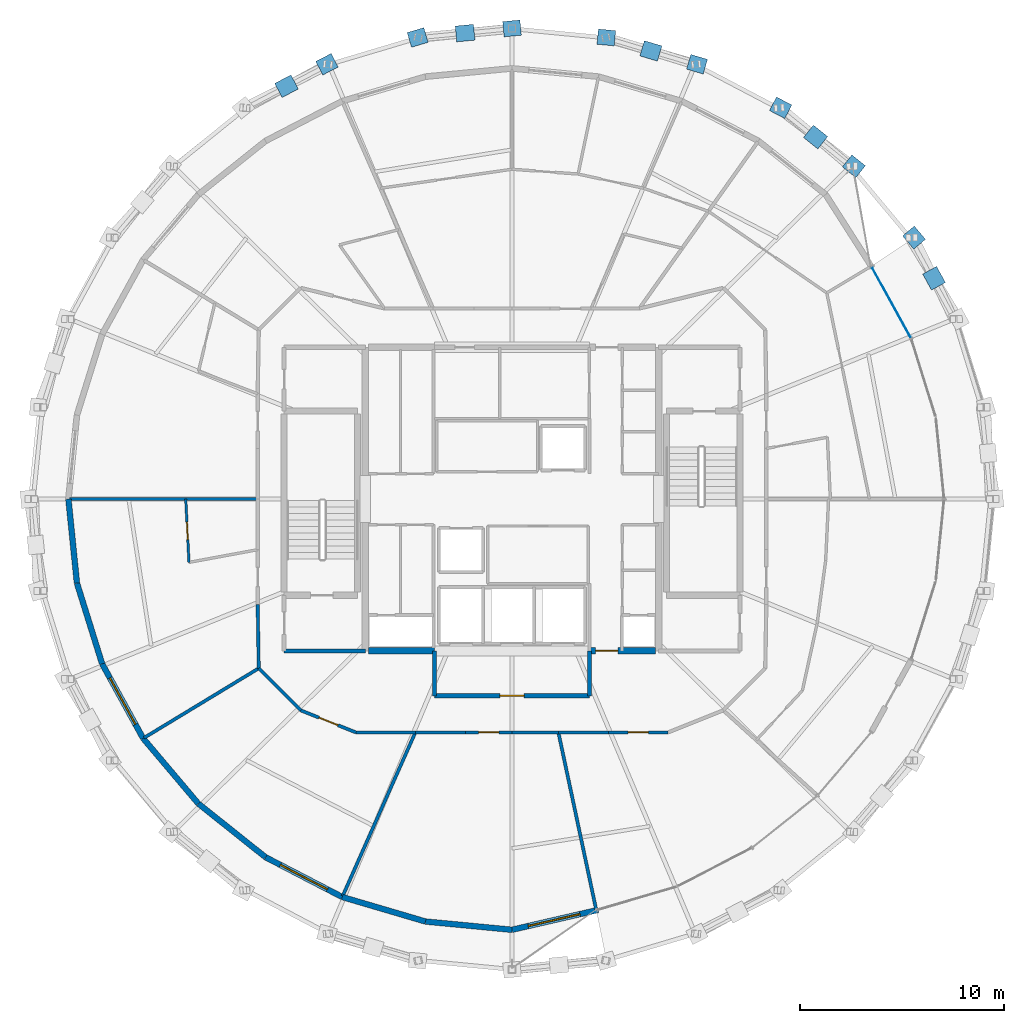
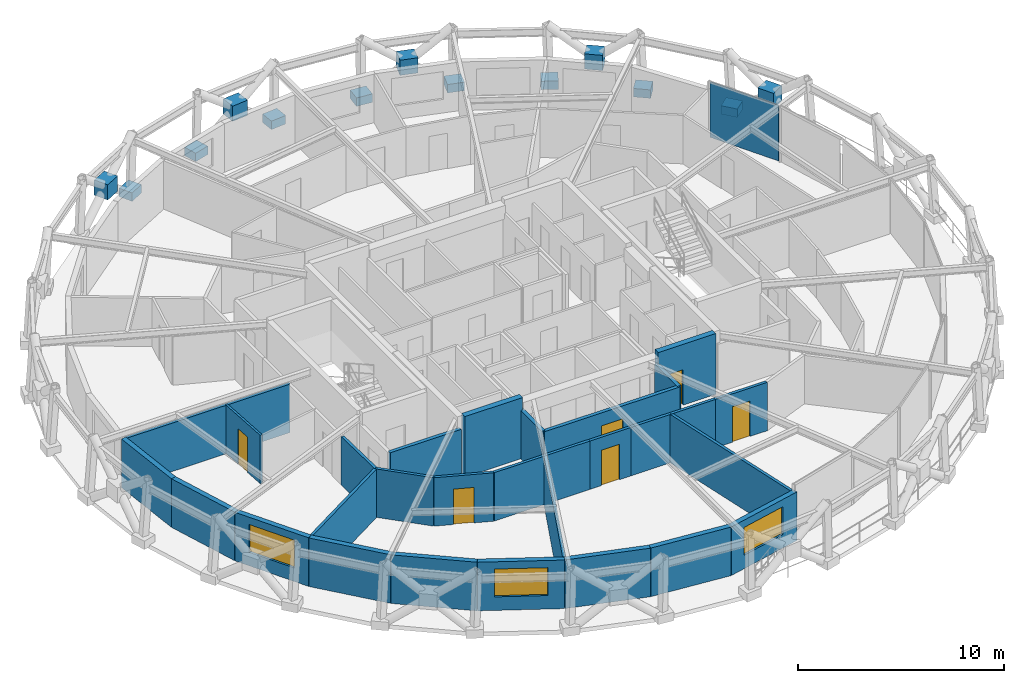
# One storey, part 11 of 16: 29 walls, 14 plates, 6 doors, 3 windows, 9 openings, 1 element without a shape of its own.
"""IFC4 building model written with IfcOpenShell, lengths in metres."""

from ifc_helpers import new_model, si_unit, direction, frame, frame_2d, origin, origin_2d, place, context, subcontext, project, spatial, rectangle, extrude, material, layer, layer_set, type_object, element, fill, aggregate, save


model = new_model("IFC4")

# Units and contexts
model_context = context("Model", 3, precision=1e-05, world=origin(), true_north=direction((0.0, 1.0)))
body_context = subcontext(model_context, "Body", "Model", "MODEL_VIEW")
ifc_project = project(units=[si_unit("LENGTHUNIT", "METRE"), si_unit("AREAUNIT", "SQUARE_METRE"), si_unit("VOLUMEUNIT", "CUBIC_METRE"), si_unit("PLANEANGLEUNIT", "RADIAN"), si_unit("MASSUNIT", "GRAM", prefix="KILO")], contexts=[model_context])

# Site, building, storey
site_placement = place(None, origin())
site = spatial("IfcSite", under=ifc_project, at=site_placement, CompositionType="ELEMENT")
building_placement = place(site_placement, origin())
building = spatial("IfcBuilding", under=site, at=building_placement, Name="Veldorina Hangang Commons", CompositionType="ELEMENT")
storey_placement = place(building_placement, frame((0.0, 0.0, 240.0)))
storey = spatial("IfcBuildingStorey", under=building, at=storey_placement, Name="L62", CompositionType="ELEMENT", Elevation=240.0)

# Curtain wall, plate
ifc_material_1 = material(Name="Glass Low-E Selective", Category="glass")
ifc_layer_1 = layer(ifc_material_1, 0.179931640625)
ifc_layer_set_1 = layer_set([ifc_layer_1], Name="Glass Low-E Selective")
curtain_wall_type = type_object("IfcCurtainWallType", Name="CW-SYS-Z3", PredefinedType="NOTDEFINED", material=ifc_layer_set_1)
curtain_wall_placement = place(storey_placement, origin())
curtain_wall = element("IfcCurtainWall", 1, at=curtain_wall_placement, inside=storey, type_object=curtain_wall_type, Name="L62 unitised curtain wall CW-L62-R2", PredefinedType="NOTDEFINED")
ifc_material_2 = material(Name="Glass Low-E Triple IGU", Category="glass")
ifc_layer_2 = layer(ifc_material_2, 0.0400390625)
ifc_layer_set_2 = layer_set([ifc_layer_2], Name="Glass Low-E Triple IGU")
plate_type_1 = type_object("IfcPlateType", Name="CW-PNL-VIS", PredefinedType="CURTAIN_PANEL", material=ifc_layer_set_2)
plate_1_placement = place(storey_placement, frame((50.611328125, 33.651611328125, 0.014892578125), z_axis=(0.0, 0.0, 1.0), x_axis=(-0.482548786301, 0.875869093438, 0.0)))
plate_1 = element("IfcPlate", 2, at=plate_1_placement, type_object=plate_type_1, Name="CW-L62-R2 facet 5 glazed vision panel", PredefinedType="CURTAIN_PANEL", context=body_context, shape_type="SweptSolid", body=[
    extrude(rectangle(XDim=3.881103515625, YDim=0.0400390625, at=origin_2d()), origin(), (0.0, 0.0, 1.0), 3.2900390625),
])
aggregate(curtain_wall, [plate_1])

# Plates
ifc_material_3 = material(Name="Steel SM460-TMC", Category="steel")
ifc_layer_3 = layer(ifc_material_3, 0.035888671875)
ifc_layer_set_3 = layer_set([ifc_layer_3], Name="Steel SM460-TMC")
plate_type_2 = type_object("IfcPlateType", Name="PL-STAR-36", PredefinedType="USERDEFINED", material=ifc_layer_set_3)
plate_2_placement = place(storey_placement, frame((52.708251953125, 34.833740234375, 1.352783203125), z_axis=(0.0, 0.0, 1.0), x_axis=(-0.481340670832, 0.876533603807, 0.0)))
element("IfcPlate", 3, at=plate_2_placement, inside=storey, type_object=plate_type_2, Name="L62 diagrid X-crossing star-node gusset plate 02", ObjectType="GUSSET PLATE", PredefinedType="USERDEFINED", context=body_context, shape_type="SweptSolid", body=[
    extrude(rectangle(XDim=0.89990234375, YDim=0.780029296875, at=origin_2d()), origin(), (0.0, 0.0, 1.0), 0.89990234375),
])
for number, where, z_axis, x_axis, name in (
    (4, (51.726806640625, 36.830322265625, -0.090087890625), (0.0, 0.0, 1.0), (-0.644577429821, 0.764539035606, 0.0), "L62 diagrid star-node gusset plate 03"),
    (5, (48.7763671875, 40.329833984375, -0.090087890625), (0.0, 0.0, 1.0), (-0.781313543143, 0.624138724404, 0.0), "L62 diagrid star-node gusset plate 04"),
):
    element("IfcPlate", number, at=place(storey_placement, frame(where, z_axis=z_axis, x_axis=x_axis)), inside=storey, type_object=plate_type_2, Name=name, ObjectType="GUSSET PLATE", PredefinedType="USERDEFINED", context=body_context, shape_type="SweptSolid", body=[
        extrude(rectangle(XDim=0.85009765625, YDim=0.75, at=origin_2d()), origin(), (0.0, 0.0, 1.0), 0.5),
    ])
plate_3_placement = place(storey_placement, frame((46.896484375, 41.76611328125, 1.3564453125), z_axis=(0.0, 0.0, 1.0), x_axis=(-0.781313543143, 0.624138724404, 0.0)))
element("IfcPlate", 6, at=plate_3_placement, inside=storey, type_object=plate_type_2, Name="L62 diagrid X-crossing star-node gusset plate 04", ObjectType="GUSSET PLATE", PredefinedType="USERDEFINED", context=body_context, shape_type="SweptSolid", body=[
    extrude(rectangle(XDim=0.89990234375, YDim=0.780029296875, at=origin_2d()), origin(), (0.0, 0.0, 1.0), 0.89990234375),
])
for number, where, z_axis, x_axis, name in (
    (7, (45.18115234375, 43.201904296875, -0.090087890625), (0.0, 0.0, 1.0), (-0.887115577783, 0.461547344977, 0.0), "L62 diagrid star-node gusset plate 05"),
    (8, (41.079345703125, 45.3359375, -0.090087890625), (0.0, 0.0, 1.0), (-0.959062277346, 0.283195247437, 0.0), "L62 diagrid star-node gusset plate 06"),
):
    element("IfcPlate", number, at=place(storey_placement, frame(where, z_axis=z_axis, x_axis=x_axis)), inside=storey, type_object=plate_type_2, Name=name, ObjectType="GUSSET PLATE", PredefinedType="USERDEFINED", context=body_context, shape_type="SweptSolid", body=[
        extrude(rectangle(XDim=0.85009765625, YDim=0.75, at=origin_2d()), origin(), (0.0, 0.0, 1.0), 0.5),
    ])
plate_4_placement = place(storey_placement, frame((38.8154296875, 45.990478515625, 1.359619140625), z_axis=(0.0, 0.0, 1.0), x_axis=(-0.959062277346, 0.283195247437, 0.0)))
element("IfcPlate", 9, at=plate_4_placement, inside=storey, type_object=plate_type_2, Name="L62 diagrid X-crossing star-node gusset plate 06", ObjectType="GUSSET PLATE", PredefinedType="USERDEFINED", context=body_context, shape_type="SweptSolid", body=[
    extrude(rectangle(XDim=0.89990234375, YDim=0.780029296875, at=origin_2d()), origin(), (0.0, 0.0, 1.0), 0.89990234375),
])
for number, where, z_axis, x_axis, name in (
    (10, (36.628662109375, 46.650146484375, -0.090087890625), (0.0, 0.0, 1.0), (-0.995436258815, 0.095428793539, 0.0), "L62 diagrid star-node gusset plate 07"),
    (11, (32.0, 47.093994140625, -0.090087890625), (0.0, 0.0, 1.0), (-0.995436258815, -0.095428793539, 0.0), "L62 diagrid star-node gusset plate 08"),
):
    element("IfcPlate", number, at=place(storey_placement, frame(where, z_axis=z_axis, x_axis=x_axis)), inside=storey, type_object=plate_type_2, Name=name, ObjectType="GUSSET PLATE", PredefinedType="USERDEFINED", context=body_context, shape_type="SweptSolid", body=[
        extrude(rectangle(XDim=0.85009765625, YDim=0.75, at=origin_2d()), origin(), (0.0, 0.0, 1.0), 0.5),
    ])
plate_5_placement = place(storey_placement, frame((29.69921875, 46.86474609375, 1.3603515625), z_axis=(0.0, 0.0, 1.0), x_axis=(-0.995436258815, -0.095428793539, 0.0)))
element("IfcPlate", 12, at=plate_5_placement, inside=storey, type_object=plate_type_2, Name="L62 diagrid X-crossing star-node gusset plate 08", ObjectType="GUSSET PLATE", PredefinedType="USERDEFINED", context=body_context, shape_type="SweptSolid", body=[
    extrude(rectangle(XDim=0.89990234375, YDim=0.780029296875, at=origin_2d()), origin(), (0.0, 0.0, 1.0), 0.89990234375),
])
for number, where, z_axis, x_axis, name in (
    (13, (27.371337890625, 46.650146484375, -0.090087890625), (0.0, 0.0, 1.0), (-0.959062277346, -0.283195247437, 0.0), "L62 diagrid star-node gusset plate 09"),
    (14, (22.920654296875, 45.3359375, -0.090087890625), (0.0, 0.0, 1.0), (-0.887115577783, -0.461547344977, 0.0), "L62 diagrid star-node gusset plate 10"),
):
    element("IfcPlate", number, at=place(storey_placement, frame(where, z_axis=z_axis, x_axis=x_axis)), inside=storey, type_object=plate_type_2, Name=name, ObjectType="GUSSET PLATE", PredefinedType="USERDEFINED", context=body_context, shape_type="SweptSolid", body=[
        extrude(rectangle(XDim=0.85009765625, YDim=0.75, at=origin_2d()), origin(), (0.0, 0.0, 1.0), 0.5),
    ])
plate_6_placement = place(storey_placement, frame((20.936279296875, 44.259033203125, 1.3583984375), z_axis=(0.0, 0.0, 1.0), x_axis=(-0.887115577783, -0.461547344977, 0.0)))
element("IfcPlate", 15, at=plate_6_placement, inside=storey, type_object=plate_type_2, Name="L62 diagrid X-crossing star-node gusset plate 10", ObjectType="GUSSET PLATE", PredefinedType="USERDEFINED", context=body_context, shape_type="SweptSolid", body=[
    extrude(rectangle(XDim=0.89990234375, YDim=0.780029296875, at=origin_2d()), origin(), (0.0, 0.0, 1.0), 0.89990234375),
])

# Wall
ifc_material_4 = material(Name="Concrete C50/60", Category="concrete")
ifc_layer_4 = layer(ifc_material_4, 0.320068359375)
ifc_layer_set_4 = layer_set([ifc_layer_4], Name="Concrete C50/60")
wall_type_1 = type_object("IfcWallType", Name="CW-RC320-C50", PredefinedType="SHEAR", material=ifc_layer_set_4)
wall_1_placement = place(storey_placement, frame((24.9599609375, 16.550048828125, 0.0), z_axis=(0.0, 0.0, 1.0), x_axis=(1.0, 0.0, 0.0)))
element("IfcWall", 16, at=wall_1_placement, inside=storey, type_object=wall_type_1, Name="L62 south-west core shear wall", PredefinedType="SHEAR", context=body_context, shape_type="SweptSolid", body=[
    extrude(rectangle(XDim=3.239990234375, YDim=0.320068359375, at=frame_2d((1.6201171875, 0.0))), origin(), (0.0, 0.0, 1.0), 3.60009765625),
])

# Wall, opening, door
wall_2_placement = place(storey_placement, frame((35.800048828125, 16.550048828125, 0.0), z_axis=(0.0, 0.0, 1.0), x_axis=(1.0, 0.0, 0.0)))
wall_2 = element("IfcWall", 17, at=wall_2_placement, inside=storey, type_object=wall_type_1, Name="L62 south-east core shear wall", PredefinedType="SHEAR", context=body_context, shape_type="SweptSolid", body=[
    extrude(rectangle(XDim=3.239990234375, YDim=0.320068359375, at=frame_2d((1.6201171875, 0.0))), origin(), (0.0, 0.0, 1.0), 3.60009765625),
])
opening_1_placement = place(wall_2_placement, frame((0.300048828125, 0.0, 0.0)))
opening_1 = element("IfcOpeningElement", 18, at=opening_1_placement, cuts=wall_2, Name="Opening D-08", PredefinedType="OPENING", context=body_context, shape_type="SweptSolid", body=[
    extrude(rectangle(XDim=1.10009765625, YDim=2.10009765625, at=frame_2d((0.550048828125, 1.050048828125))), frame((0.0, 0.169921875, 0.0), z_axis=(0.0, -1.0, 0.0), x_axis=(1.0, 0.0, 0.0)), (0.0, 0.0, 1.0), 0.340087890625),
])
ifc_material_5 = material(Name="Steel Fire-Rated Smoke Seal", Category="steel")
door_type_1 = type_object("IfcDoorType", Name="DR-FIRE-1100", OperationType="SINGLE_SWING_RIGHT", PredefinedType="DOOR", material=ifc_material_5)
door_1_placement = place(opening_1_placement, origin())
door_1 = element("IfcDoor", 19, at=door_1_placement, inside=storey, type_object=door_type_1, Name="L62 central lift lobby south corridor door", OperationType="SINGLE_SWING_RIGHT", OverallHeight=2.10009765625, OverallWidth=1.10009765625, PredefinedType="DOOR", context=body_context, shape_type="SweptSolid", body=[
    extrude(rectangle(XDim=1.10009765625, YDim=2.10009765625, at=frame_2d((0.550048828125, 1.050048828125))), frame((0.0, 0.02490234375, 0.0), z_axis=(0.0, -1.0, 0.0), x_axis=(1.0, 0.0, 0.0)), (0.0, 0.0, 1.0), 0.050048828125),
])
fill(opening_1, door_1)

# Walls
ifc_material_6 = material(Name="Stone Roman Travertine", Category="masonry")
ifc_layer_5 = layer(ifc_material_6, 0.280029296875)
ifc_layer_set_5 = layer_set([ifc_layer_5], Name="Stone Roman Travertine")
wall_type_2 = type_object("IfcWallType", Name="EW-TRAV-280", PredefinedType="STANDARD", material=ifc_layer_set_5)
wall_3_placement = place(storey_placement, frame((10.234619140625, 24.0, 0.0), z_axis=(0.0, 0.0, 1.0), x_axis=(0.100915158401, -0.994895035069, 0.0)))
element("IfcWall", 20, at=wall_3_placement, inside=storey, type_object=wall_type_2, Name="L62 travertine facade wall 16", PredefinedType="STANDARD", context=body_context, shape_type="SweptSolid", body=[
    extrude(rectangle(XDim=4.144287109375, YDim=0.280029296875, at=frame_2d((2.072265625, 0.0))), origin(), (0.0, 0.0, 1.0), 2.8798828125),
])
wall_4_placement = place(storey_placement, frame((10.65283203125, 19.876953125, 0.0), z_axis=(0.0, 0.0, 1.0), x_axis=(0.298184627307, -0.954508212661, 0.0)))
element("IfcWall", 21, at=wall_4_placement, inside=storey, type_object=wall_type_2, Name="L62 travertine facade wall 17", PredefinedType="STANDARD", context=body_context, shape_type="SweptSolid", body=[
    extrude(rectangle(XDim=4.153564453125, YDim=0.280029296875, at=frame_2d((2.07666015625, 0.0))), origin(), (0.0, 0.0, 1.0), 2.8798828125),
])

# Wall, opening, window
wall_5_placement = place(storey_placement, frame((11.891357421875, 15.912353515625, 0.0), z_axis=(0.0, 0.0, 1.0), x_axis=(0.482219827967, -0.876050248282, 0.0)))
wall_5 = element("IfcWall", 22, at=wall_5_placement, inside=storey, type_object=wall_type_2, Name="L62 travertine facade wall 18", PredefinedType="STANDARD", context=body_context, shape_type="SweptSolid", body=[
    extrude(rectangle(XDim=4.170654296875, YDim=0.280029296875, at=frame_2d((2.08544921875, 0.0))), origin(), (0.0, 0.0, 1.0), 2.8798828125),
])
opening_2_placement = place(wall_5_placement, frame((0.785400390625, 0.0, 0.800048828125)))
opening_2 = element("IfcOpeningElement", 23, at=opening_2_placement, cuts=wall_5, Name="Opening W-02", PredefinedType="OPENING", context=body_context, shape_type="SweptSolid", body=[
    extrude(rectangle(XDim=2.60009765625, YDim=1.64990234375, at=frame_2d((1.300048828125, 0.824951171875))), frame((0.0, 0.14990234375, 0.0), z_axis=(0.0, -1.0, 0.0), x_axis=(1.0, 0.0, 0.0)), (0.0, 0.0, 1.0), 0.300048828125),
])
window_type = type_object("IfcWindowType", Name="WIN-TWR-2600", PartitioningType="SINGLE_PANEL", PredefinedType="WINDOW", material=ifc_material_2)
window_1_placement = place(opening_2_placement, origin())
window_1 = element("IfcWindow", 24, at=window_1_placement, inside=storey, type_object=window_type, Name="L62 facade window 18", OverallHeight=1.64990234375, OverallWidth=2.60009765625, PartitioningType="SINGLE_PANEL", PredefinedType="WINDOW", context=body_context, shape_type="SweptSolid", body=[
    extrude(rectangle(XDim=2.60009765625, YDim=1.64990234375, at=frame_2d((1.300048828125, 0.824951171875))), frame((0.0, 0.030029296875, 0.0), z_axis=(0.0, -1.0, 0.0), x_axis=(1.0, 0.0, 0.0)), (0.0, 0.0, 1.0), 0.06005859375),
])
fill(opening_2, window_1)

# Walls
wall_6_placement = place(storey_placement, frame((13.902587890625, 12.258544921875, 0.0), z_axis=(0.0, 0.0, 1.0), x_axis=(0.645568939202, -0.763701999956, 0.0)))
element("IfcWall", 25, at=wall_6_placement, inside=storey, type_object=wall_type_2, Name="L62 travertine facade wall 19", PredefinedType="STANDARD", context=body_context, shape_type="SweptSolid", body=[
    extrude(rectangle(XDim=4.193359375, YDim=0.280029296875, at=frame_2d((2.0966796875, 0.0))), origin(), (0.0, 0.0, 1.0), 2.8798828125),
])
wall_7_placement = place(storey_placement, frame((16.609619140625, 9.05615234375, 0.0), z_axis=(0.0, 0.0, 1.0), x_axis=(0.782030895384, -0.623239663906, 0.0)))
element("IfcWall", 26, at=wall_7_placement, inside=storey, type_object=wall_type_2, Name="L62 travertine facade wall 20", PredefinedType="STANDARD", context=body_context, shape_type="SweptSolid", body=[
    extrude(rectangle(XDim=4.21728515625, YDim=0.280029296875, at=frame_2d((2.108642578125, 0.0))), origin(), (0.0, 0.0, 1.0), 2.8798828125),
])

# Wall, opening, window
wall_8_placement = place(storey_placement, frame((19.90771484375, 6.427734375, 0.0), z_axis=(0.0, 0.0, 1.0), x_axis=(0.887588000353, -0.460638189504, 0.0)))
wall_8 = element("IfcWall", 27, at=wall_8_placement, inside=storey, type_object=wall_type_2, Name="L62 travertine facade wall 21", PredefinedType="STANDARD", context=body_context, shape_type="SweptSolid", body=[
    extrude(rectangle(XDim=4.239501953125, YDim=0.280029296875, at=frame_2d((2.11962890625, 0.0))), origin(), (0.0, 0.0, 1.0), 2.8798828125),
])
opening_3_placement = place(wall_8_placement, frame((0.81982421875, 0.0, 0.800048828125)))
opening_3 = element("IfcOpeningElement", 28, at=opening_3_placement, cuts=wall_8, Name="Opening W-02", PredefinedType="OPENING", context=body_context, shape_type="SweptSolid", body=[
    extrude(rectangle(XDim=2.60009765625, YDim=1.64990234375, at=frame_2d((1.300048828125, 0.824951171875))), frame((0.0, 0.14990234375, 0.0), z_axis=(0.0, -1.0, 0.0), x_axis=(1.0, 0.0, 0.0)), (0.0, 0.0, 1.0), 0.300048828125),
])
window_2_placement = place(opening_3_placement, origin())
window_2 = element("IfcWindow", 29, at=window_2_placement, inside=storey, type_object=window_type, Name="L62 facade window 21", OverallHeight=1.64990234375, OverallWidth=2.60009765625, PartitioningType="SINGLE_PANEL", PredefinedType="WINDOW", context=body_context, shape_type="SweptSolid", body=[
    extrude(rectangle(XDim=2.60009765625, YDim=1.64990234375, at=frame_2d((1.300048828125, 0.824951171875))), frame((0.0, 0.030029296875, 0.0), z_axis=(0.0, -1.0, 0.0), x_axis=(1.0, 0.0, 0.0)), (0.0, 0.0, 1.0), 0.06005859375),
])
fill(opening_3, window_2)

# Walls
wall_9_placement = place(storey_placement, frame((23.670654296875, 4.474853515625, 0.0), z_axis=(0.0, 0.0, 1.0), x_axis=(0.95925857755, -0.28252961154, 0.0)))
element("IfcWall", 30, at=wall_9_placement, inside=storey, type_object=wall_type_2, Name="L62 travertine facade wall 22", PredefinedType="STANDARD", context=body_context, shape_type="SweptSolid", body=[
    extrude(rectangle(XDim=4.256591796875, YDim=0.280029296875, at=frame_2d((2.12841796875, 0.0))), origin(), (0.0, 0.0, 1.0), 2.8798828125),
])
wall_10_placement = place(storey_placement, frame((27.75390625, 3.272216796875, 0.0), z_axis=(0.0, 0.0, 1.0), x_axis=(0.995459644973, -0.09518453252, 0.0)))
element("IfcWall", 31, at=wall_10_placement, inside=storey, type_object=wall_type_2, Name="L62 travertine facade wall 23", PredefinedType="STANDARD", context=body_context, shape_type="SweptSolid", body=[
    extrude(rectangle(XDim=4.265380859375, YDim=0.280029296875, at=frame_2d((2.1328125, 0.0))), origin(), (0.0, 0.0, 1.0), 2.8798828125),
])

# Wall, opening, window
wall_11_placement = place(storey_placement, frame((32.0, 2.8662109375, 0.0), z_axis=(0.0, 0.0, 1.0), x_axis=(0.974367475621, 0.22496226895, 0.0)))
wall_11 = element("IfcWall", 32, at=wall_11_placement, inside=storey, type_object=wall_type_2, Name="L62 travertine facade wall 24", PredefinedType="STANDARD", context=body_context, shape_type="SweptSolid", body=[
    extrude(rectangle(XDim=4.337646484375, YDim=0.280029296875, at=frame_2d((2.1689453125, 0.0))), origin(), (0.0, 0.0, 1.0), 2.8798828125),
])
opening_4_placement = place(wall_11_placement, frame((0.822998046875, 0.0, 0.800048828125)))
opening_4 = element("IfcOpeningElement", 33, at=opening_4_placement, cuts=wall_11, Name="Opening W-02", PredefinedType="OPENING", context=body_context, shape_type="SweptSolid", body=[
    extrude(rectangle(XDim=2.60009765625, YDim=1.64990234375, at=frame_2d((1.300048828125, 0.824951171875))), frame((0.0, 0.14990234375, 0.0), z_axis=(0.0, -1.0, 0.0), x_axis=(1.0, 0.0, 0.0)), (0.0, 0.0, 1.0), 0.300048828125),
])
window_3_placement = place(opening_4_placement, origin())
window_3 = element("IfcWindow", 34, at=window_3_placement, inside=storey, type_object=window_type, Name="L62 facade window 24", OverallHeight=1.64990234375, OverallWidth=2.60009765625, PartitioningType="SINGLE_PANEL", PredefinedType="WINDOW", context=body_context, shape_type="SweptSolid", body=[
    extrude(rectangle(XDim=2.60009765625, YDim=1.64990234375, at=frame_2d((1.300048828125, 0.824951171875))), frame((0.0, 0.030029296875, 0.0), z_axis=(0.0, -1.0, 0.0), x_axis=(1.0, 0.0, 0.0)), (0.0, 0.0, 1.0), 0.06005859375),
])
fill(opening_4, window_3)

# Walls
ifc_material_7 = material(Name="Gypsum Fire-Rated Twin Stud Wall", Category="gypsum")
ifc_layer_6 = layer(ifc_material_7, 0.159912109375)
ifc_layer_set_6 = layer_set([ifc_layer_6], Name="Gypsum Fire-Rated Twin Stud Wall")
wall_type_3 = type_object("IfcWallType", Name="WL-FIRE-160", PredefinedType="SOLIDWALL", material=ifc_layer_set_6)
wall_12_placement = place(storey_placement, frame((19.52001953125, 18.83056640625, 0.0), z_axis=(0.0, 0.0, 1.0), x_axis=(0.016981035134, -0.999855811828, 0.0)))
element("IfcWall", 35, at=wall_12_placement, inside=storey, type_object=wall_type_3, Name="L62 Compact collar outer wall 18 074", PredefinedType="SOLIDWALL", context=body_context, shape_type="SweptSolid", body=[
    extrude(rectangle(XDim=3.13427734375, YDim=0.159912109375, at=frame_2d((1.567138671875, 0.0))), origin(), (0.0, 0.0, 1.0), 2.8701171875),
])
wall_13_placement = place(storey_placement, frame((19.5732421875, 15.69677734375, 0.0), z_axis=(0.0, 0.0, 1.0), x_axis=(0.707106781187, -0.707106781187, 0.0)))
element("IfcWall", 36, at=wall_13_placement, inside=storey, type_object=wall_type_3, Name="L62 Compact collar outer wall 19 075", PredefinedType="SOLIDWALL", context=body_context, shape_type="SweptSolid", body=[
    extrude(rectangle(XDim=2.915771484375, YDim=0.159912109375, at=frame_2d((1.4580078125, 0.0))), origin(), (0.0, 0.0, 1.0), 2.8701171875),
])

# Wall, opening, door
wall_14_placement = place(storey_placement, frame((21.635009765625, 13.635009765625, 0.0), z_axis=(0.0, 0.0, 1.0), x_axis=(0.92856882165, -0.371160266542, 0.0)))
wall_14 = element("IfcWall", 37, at=wall_14_placement, inside=storey, type_object=wall_type_3, Name="L62 Compact collar outer wall 20 076", PredefinedType="SOLIDWALL", context=body_context, shape_type="SweptSolid", body=[
    extrude(rectangle(XDim=2.923095703125, YDim=0.159912109375, at=frame_2d((1.46142578125, 0.0))), origin(), (0.0, 0.0, 1.0), 2.8701171875),
])
opening_5_placement = place(wall_14_placement, frame((0.961669921875, 0.0, 0.0)))
opening_5 = element("IfcOpeningElement", 38, at=opening_5_placement, cuts=wall_14, Name="Opening D-05", PredefinedType="OPENING", context=body_context, shape_type="SweptSolid", body=[
    extrude(rectangle(XDim=1.0, YDim=2.10009765625, at=frame_2d((0.5, 1.050048828125))), frame((0.0, 0.08984375, 0.0), z_axis=(0.0, -1.0, 0.0), x_axis=(1.0, 0.0, 0.0)), (0.0, 0.0, 1.0), 0.179931640625),
])
ifc_material_8 = material(Name="Timber Solid Core Acoustic", Category="wood")
door_type_2 = type_object("IfcDoorType", Name="DR-INT-1000", OperationType="SINGLE_SWING_RIGHT", PredefinedType="DOOR", material=ifc_material_8)
door_2_placement = place(opening_5_placement, origin())
door_2 = element("IfcDoor", 39, at=door_2_placement, inside=storey, type_object=door_type_2, Name="L62 Floor Study Room 7 door 044", OperationType="SINGLE_SWING_RIGHT", OverallHeight=2.10009765625, OverallWidth=1.0, PredefinedType="DOOR", context=body_context, shape_type="SweptSolid", body=[
    extrude(rectangle(XDim=1.0, YDim=2.10009765625, at=frame_2d((0.5, 1.050048828125))), frame((0.0, 0.02490234375, 0.0), z_axis=(0.0, -1.0, 0.0), x_axis=(1.0, 0.0, 0.0)), (0.0, 0.0, 1.0), 0.050048828125),
])
fill(opening_5, door_2)

# Walls
wall_15_placement = place(storey_placement, frame((24.349365234375, 12.550048828125, 0.0), z_axis=(0.0, 0.0, 1.0), x_axis=(1.0, 0.0, 0.0)))
element("IfcWall", 40, at=wall_15_placement, inside=storey, type_object=wall_type_3, Name="L62 Compact collar outer wall 21 077", PredefinedType="SOLIDWALL", context=body_context, shape_type="SweptSolid", body=[
    extrude(rectangle(XDim=2.907958984375, YDim=0.159912109375, at=frame_2d((1.4541015625, 0.0))), origin(), (0.0, 0.0, 1.0), 2.8701171875),
])
wall_16_placement = place(storey_placement, frame((27.25732421875, 12.550048828125, 0.0), z_axis=(0.0, 0.0, 1.0), x_axis=(1.0, 0.0, 0.0)))
element("IfcWall", 41, at=wall_16_placement, inside=storey, type_object=wall_type_3, Name="L62 Compact collar outer wall 22 078", PredefinedType="SOLIDWALL", context=body_context, shape_type="SweptSolid", body=[
    extrude(rectangle(XDim=2.465087890625, YDim=0.159912109375, at=frame_2d((1.232421875, 0.0))), origin(), (0.0, 0.0, 1.0), 2.8701171875),
])

# Wall, opening, door
wall_17_placement = place(storey_placement, frame((29.722412109375, 12.550048828125, 0.0), z_axis=(0.0, 0.0, 1.0), x_axis=(1.0, 0.0, 0.0)))
wall_17 = element("IfcWall", 42, at=wall_17_placement, inside=storey, type_object=wall_type_3, Name="L62 Compact collar outer wall 23 079", PredefinedType="SOLIDWALL", context=body_context, shape_type="SweptSolid", body=[
    extrude(rectangle(XDim=2.277587890625, YDim=0.159912109375, at=frame_2d((1.138671875, 0.0))), origin(), (0.0, 0.0, 1.0), 2.8701171875),
])
opening_6_placement = place(wall_17_placement, frame((0.638671875, 0.0, 0.0)))
opening_6 = element("IfcOpeningElement", 43, at=opening_6_placement, cuts=wall_17, Name="Opening D-05", PredefinedType="OPENING", context=body_context, shape_type="SweptSolid", body=[
    extrude(rectangle(XDim=1.0, YDim=2.10009765625, at=frame_2d((0.5, 1.050048828125))), frame((0.0, 0.08984375, 0.0), z_axis=(0.0, -1.0, 0.0), x_axis=(1.0, 0.0, 0.0)), (0.0, 0.0, 1.0), 0.179931640625),
])
door_3_placement = place(opening_6_placement, origin())
door_3 = element("IfcDoor", 44, at=door_3_placement, inside=storey, type_object=door_type_2, Name="L62 Floor Study Room 8 door 045", OperationType="SINGLE_SWING_LEFT", OverallHeight=2.10009765625, OverallWidth=1.0, PredefinedType="DOOR", context=body_context, shape_type="SweptSolid", body=[
    extrude(rectangle(XDim=1.0, YDim=2.10009765625, at=frame_2d((0.5, 1.050048828125))), frame((0.0, 0.02490234375, 0.0), z_axis=(0.0, -1.0, 0.0), x_axis=(1.0, 0.0, 0.0)), (0.0, 0.0, 1.0), 0.050048828125),
])
fill(opening_6, door_3)

# Walls
wall_18_placement = place(storey_placement, frame((32.0, 12.550048828125, 0.0), z_axis=(0.0, 0.0, 1.0), x_axis=(1.0, 0.0, 0.0)))
element("IfcWall", 45, at=wall_18_placement, inside=storey, type_object=wall_type_3, Name="L62 Compact collar outer wall 24 080", PredefinedType="SOLIDWALL", context=body_context, shape_type="SweptSolid", body=[
    extrude(rectangle(XDim=2.277587890625, YDim=0.159912109375, at=frame_2d((1.138671875, 0.0))), origin(), (0.0, 0.0, 1.0), 2.8701171875),
])
wall_19_placement = place(storey_placement, frame((34.277587890625, 12.550048828125, 0.0), z_axis=(0.0, 0.0, 1.0), x_axis=(1.0, 0.0, 0.0)))
element("IfcWall", 46, at=wall_19_placement, inside=storey, type_object=wall_type_3, Name="L62 Compact collar outer wall 25 081", PredefinedType="SOLIDWALL", context=body_context, shape_type="SweptSolid", body=[
    extrude(rectangle(XDim=2.465087890625, YDim=0.159912109375, at=frame_2d((1.232421875, 0.0))), origin(), (0.0, 0.0, 1.0), 2.8701171875),
])

# Wall, opening, door
wall_20_placement = place(storey_placement, frame((36.74267578125, 12.550048828125, 0.0), z_axis=(0.0, 0.0, 1.0), x_axis=(1.0, 0.0, 0.0)))
wall_20 = element("IfcWall", 47, at=wall_20_placement, inside=storey, type_object=wall_type_3, Name="L62 Compact collar outer wall 26 082", PredefinedType="SOLIDWALL", context=body_context, shape_type="SweptSolid", body=[
    extrude(rectangle(XDim=2.907958984375, YDim=0.159912109375, at=frame_2d((1.4541015625, 0.0))), origin(), (0.0, 0.0, 1.0), 2.8701171875),
])
opening_7_placement = place(wall_20_placement, frame((0.9541015625, 0.0, 0.0)))
opening_7 = element("IfcOpeningElement", 48, at=opening_7_placement, cuts=wall_20, Name="Opening D-05", PredefinedType="OPENING", context=body_context, shape_type="SweptSolid", body=[
    extrude(rectangle(XDim=1.0, YDim=2.10009765625, at=frame_2d((0.5, 1.050048828125))), frame((0.0, 0.08984375, 0.0), z_axis=(0.0, -1.0, 0.0), x_axis=(1.0, 0.0, 0.0)), (0.0, 0.0, 1.0), 0.179931640625),
])
door_4_placement = place(opening_7_placement, origin())
door_4 = element("IfcDoor", 49, at=door_4_placement, inside=storey, type_object=door_type_2, Name="L62 Seminar Focus Room 9 door 046", OperationType="SINGLE_SWING_RIGHT", OverallHeight=2.10009765625, OverallWidth=1.0, PredefinedType="DOOR", context=body_context, shape_type="SweptSolid", body=[
    extrude(rectangle(XDim=1.0, YDim=2.10009765625, at=frame_2d((0.5, 1.050048828125))), frame((0.0, 0.02490234375, 0.0), z_axis=(0.0, -1.0, 0.0), x_axis=(1.0, 0.0, 0.0)), (0.0, 0.0, 1.0), 0.050048828125),
])
fill(opening_7, door_4)

# Walls
wall_21_placement = place(storey_placement, frame((19.52001953125, 24.0, 0.0), z_axis=(0.0, 0.0, 1.0), x_axis=(-1.0, 0.0, 0.0)))
element("IfcWall", 50, at=wall_21_placement, inside=storey, type_object=wall_type_3, Name="L62 Unit party wall 16 115", PredefinedType="SOLIDWALL", context=body_context, shape_type="SweptSolid", body=[
    extrude(rectangle(XDim=9.2353515625, YDim=0.159912109375, at=frame_2d((4.61767578125, 0.0))), origin(), (0.0, 0.0, 1.0), 2.8701171875),
])
wall_22_placement = place(storey_placement, frame((19.5732421875, 15.69677734375, 0.0), z_axis=(0.0, 0.0, 1.0), x_axis=(-0.855087696753, -0.518483394973, 0.0)))
element("IfcWall", 51, at=wall_22_placement, inside=storey, type_object=wall_type_3, Name="L62 Unit party wall 19 118", PredefinedType="SOLIDWALL", context=body_context, shape_type="SweptSolid", body=[
    extrude(rectangle(XDim=6.581298828125, YDim=0.159912109375, at=frame_2d((3.29052734375, 0.0))), origin(), (0.0, 0.0, 1.0), 2.8701171875),
])
wall_23_placement = place(storey_placement, frame((27.25732421875, 12.550048828125, 0.0), z_axis=(0.0, 0.0, 1.0), x_axis=(-0.405921882918, -0.913907777059, 0.0)))
element("IfcWall", 52, at=wall_23_placement, inside=storey, type_object=wall_type_3, Name="L62 Unit party wall 22 119", PredefinedType="SOLIDWALL", context=body_context, shape_type="SweptSolid", body=[
    extrude(rectangle(XDim=8.785888671875, YDim=0.159912109375, at=frame_2d((4.39306640625, 0.0))), origin(), (0.0, 0.0, 1.0), 2.8701171875),
])
wall_24_placement = place(storey_placement, frame((34.277587890625, 12.550048828125, 0.0), z_axis=(0.0, 0.0, 1.0), x_axis=(0.208364107571, -0.97805132722, 0.0)))
element("IfcWall", 53, at=wall_24_placement, inside=storey, type_object=wall_type_3, Name="L62 Unit party wall 25 120", PredefinedType="SOLIDWALL", context=body_context, shape_type="SweptSolid", body=[
    extrude(rectangle(XDim=8.87451171875, YDim=0.159912109375, at=frame_2d((4.437255859375, 0.0))), origin(), (0.0, 0.0, 1.0), 2.8701171875),
])
ifc_material_9 = material(Name="Concrete Blockwork Fire Wall C30/37", Category="masonry")
ifc_layer_7 = layer(ifc_material_9, 0.199951171875)
ifc_layer_set_7 = layer_set([ifc_layer_7], Name="Concrete Blockwork Fire Wall C30/37")
wall_type_4 = type_object("IfcWallType", Name="WL-FIRE-200", PredefinedType="SOLIDWALL", material=ifc_layer_set_7)
wall_25_placement = place(storey_placement, frame((20.820068359375, 16.550048828125, 0.0), z_axis=(0.0, 0.0, 1.0), x_axis=(1.0, 0.0, 0.0)))
element("IfcWall", 54, at=wall_25_placement, inside=storey, type_object=wall_type_4, Name="L62 West vestibule south wall 002", PredefinedType="SOLIDWALL", context=body_context, shape_type="SweptSolid", body=[
    extrude(rectangle(XDim=3.97998046875, YDim=0.199951171875, at=frame_2d((1.989990234375, 0.0))), origin(), (0.0, 0.0, 1.0), 2.8701171875),
])
for number, where, z_axis, x_axis, name in (
    (55, (28.199951171875, 14.35009765625, 0.0), (0.0, 0.0, 1.0), (0.0, 1.0, 0.0), "L62 FF lobby west wall 012"),
    (56, (35.800048828125, 14.35009765625, 0.0), (0.0, 0.0, 1.0), (0.0, 1.0, 0.0), "L62 FF lobby east wall 013"),
):
    element("IfcWall", number, at=place(storey_placement, frame(where, z_axis=z_axis, x_axis=x_axis)), inside=storey, type_object=wall_type_4, Name=name, PredefinedType="SOLIDWALL", context=body_context, shape_type="SweptSolid", body=[
        extrude(rectangle(XDim=2.199951171875, YDim=0.199951171875, at=frame_2d((1.10009765625, 0.0))), origin(), (0.0, 0.0, 1.0), 2.8701171875),
    ])

# Wall, opening, door
wall_26_placement = place(storey_placement, frame((28.199951171875, 14.35009765625, 0.0), z_axis=(0.0, 0.0, 1.0), x_axis=(1.0, 0.0, 0.0)))
wall_26 = element("IfcWall", 57, at=wall_26_placement, inside=storey, type_object=wall_type_4, Name="L62 FF lobby south wall 014", PredefinedType="SOLIDWALL", context=body_context, shape_type="SweptSolid", body=[
    extrude(rectangle(XDim=7.60009765625, YDim=0.199951171875, at=frame_2d((3.800048828125, 0.0))), origin(), (0.0, 0.0, 1.0), 2.8701171875),
])
opening_8_placement = place(wall_26_placement, frame((3.199951171875, 0.0, 0.0)))
opening_8 = element("IfcOpeningElement", 58, at=opening_8_placement, cuts=wall_26, Name="Opening D-09", PredefinedType="OPENING", context=body_context, shape_type="SweptSolid", body=[
    extrude(rectangle(XDim=1.199951171875, YDim=2.10009765625, at=frame_2d((0.60009765625, 1.050048828125))), frame((0.0, 0.10986328125, 0.0), z_axis=(0.0, -1.0, 0.0), x_axis=(1.0, 0.0, 0.0)), (0.0, 0.0, 1.0), 0.219970703125),
])
ifc_material_10 = material(Name="Steel Fire-Rated Corridor Door", Category="steel")
door_type_3 = type_object("IfcDoorType", Name="DR-FIRE-1200", OperationType="SINGLE_SWING_LEFT", PredefinedType="DOOR", material=ifc_material_10)
door_5_placement = place(opening_8_placement, origin())
door_5 = element("IfcDoor", 59, at=door_5_placement, inside=storey, type_object=door_type_3, Name="L62 FF lobby south corridor door 005", OperationType="SINGLE_SWING_LEFT", OverallHeight=2.10009765625, OverallWidth=1.199951171875, PredefinedType="DOOR", context=body_context, shape_type="SweptSolid", body=[
    extrude(rectangle(XDim=1.199951171875, YDim=2.10009765625, at=frame_2d((0.60009765625, 1.050048828125))), frame((0.0, 0.02490234375, 0.0), z_axis=(0.0, -1.0, 0.0), x_axis=(1.0, 0.0, 0.0)), (0.0, 0.0, 1.0), 0.050048828125),
])
fill(opening_8, door_5)

ifc_material_11 = material(Name="Gypsum Acoustic Stud Partition", Category="gypsum")
ifc_layer_8 = layer(ifc_material_11, 0.1201171875)
ifc_layer_set_8 = layer_set([ifc_layer_8], Name="Gypsum Acoustic Stud Partition")
wall_type_5 = type_object("IfcWallType", Name="WL-PART-120", PredefinedType="PARTITIONING", material=ifc_layer_set_8)
wall_27_placement = place(storey_placement, frame((15.991455078125, 24.0, 0.0), z_axis=(0.0, 0.0, 1.0), x_axis=(0.051108341929, -0.998693114718, 0.0)))
wall_27 = element("IfcWall", 60, at=wall_27_placement, inside=storey, type_object=wall_type_5, Name="L62 Studio 6 bath front wall 116", PredefinedType="PARTITIONING", context=body_context, shape_type="SweptSolid", body=[
    extrude(rectangle(XDim=3.10986328125, YDim=0.1201171875, at=frame_2d((1.554931640625, 0.0))), origin(), (0.0, 0.0, 1.0), 2.8701171875),
])
opening_9_placement = place(wall_27_placement, frame((1.125, 0.0, 0.0)))
opening_9 = element("IfcOpeningElement", 61, at=opening_9_placement, cuts=wall_27, Name="Opening D-01", PredefinedType="OPENING", context=body_context, shape_type="SweptSolid", body=[
    extrude(rectangle(XDim=0.860107421875, YDim=2.10009765625, at=frame_2d((0.43017578125, 1.050048828125))), frame((0.0, 0.070068359375, 0.0), z_axis=(0.0, -1.0, 0.0), x_axis=(1.0, 0.0, 0.0)), (0.0, 0.0, 1.0), 0.14013671875),
])
ifc_material_12 = material(Name="Timber Moisture-Resistant Core", Category="wood")
door_type_4 = type_object("IfcDoorType", Name="DR-WET-860", OperationType="SINGLE_SWING_LEFT", PredefinedType="DOOR", material=ifc_material_12)
door_6_placement = place(opening_9_placement, origin())
door_6 = element("IfcDoor", 62, at=door_6_placement, inside=storey, type_object=door_type_4, Name="L62 Studio 6 bathroom door 042", OperationType="SINGLE_SWING_RIGHT", OverallHeight=2.10009765625, OverallWidth=0.860107421875, PredefinedType="DOOR", context=body_context, shape_type="SweptSolid", body=[
    extrude(rectangle(XDim=0.860107421875, YDim=2.10009765625, at=frame_2d((0.43017578125, 1.050048828125))), frame((0.0, 0.02490234375, 0.0), z_axis=(0.0, -1.0, 0.0), x_axis=(1.0, 0.0, 0.0)), (0.0, 0.0, 1.0), 0.050048828125),
])
fill(opening_9, door_6)

save(model, "model.ifc")
